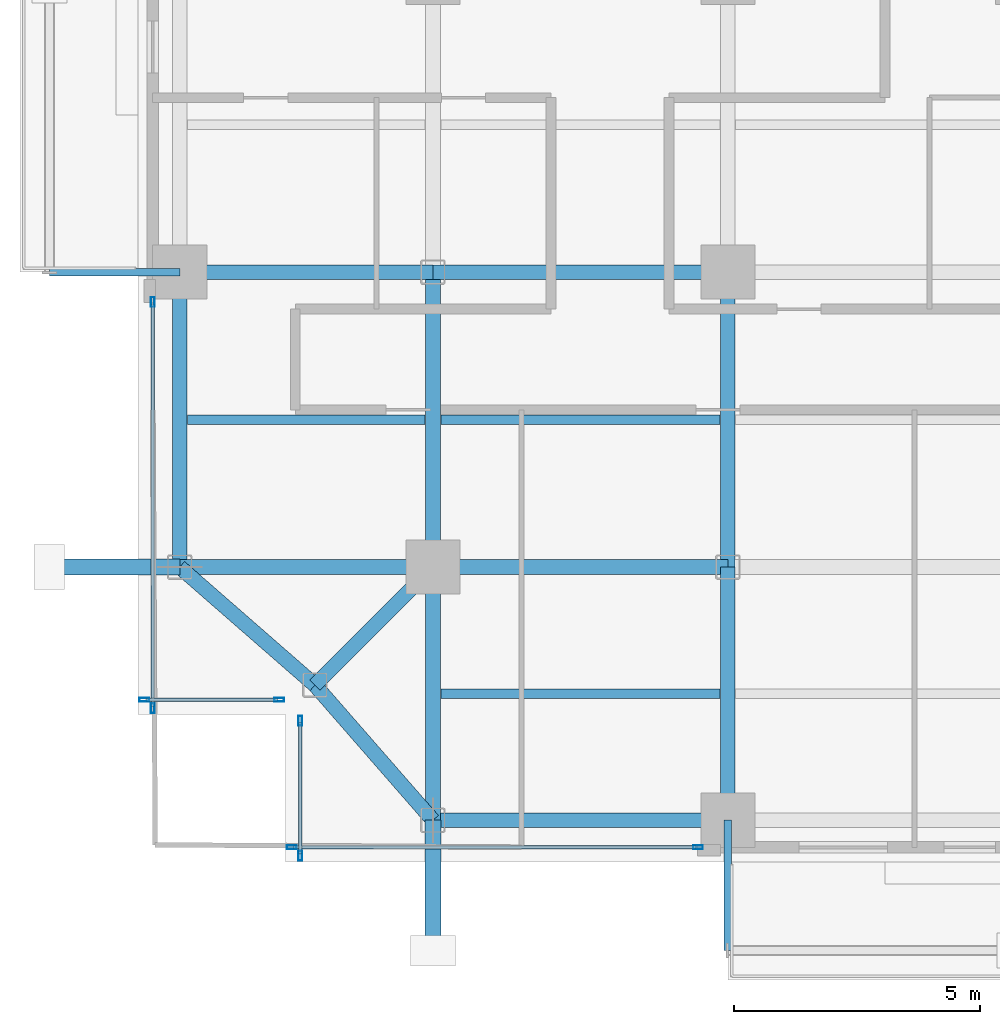
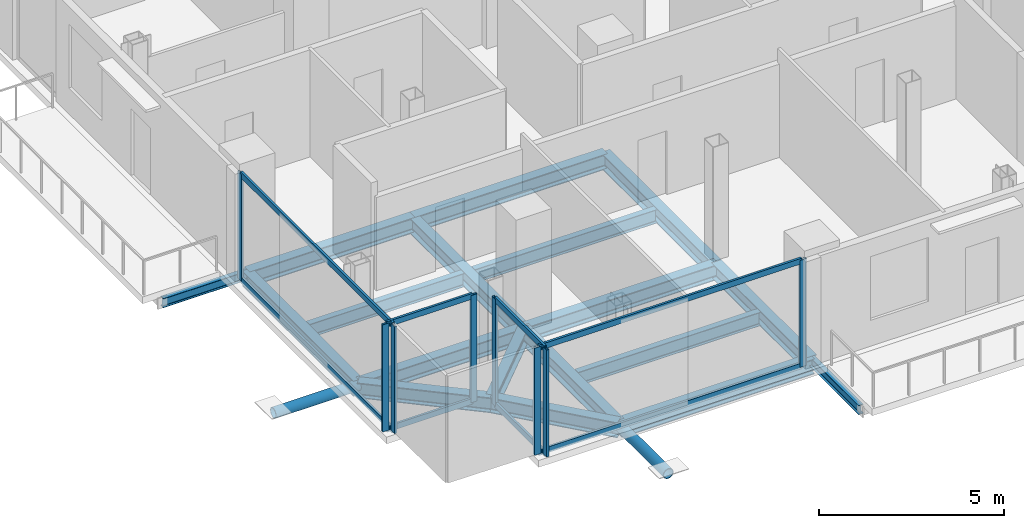
# One storey, part 2 of 24: 18 beams, 18 members, 4 elements without a shape of their own.
"""IFC4 building model written with IfcOpenShell, lengths in metres."""

import ifcopenshell
import ifcopenshell.guid

model = None  # the IFC model being written
_history = None  # IfcOwnerHistory: only IFC2X3 demands one
_inside = {}  # id of a spatial element -> (the spatial element, [elements in it])
_under = {}  # id of a project, library or spatial element -> (it, [spatial elements below it])
_declared = {}  # id of a project -> (the project, [libraries it declares])
_typed = {}  # id of a type object -> (the type object, [elements of that type])
_made_of = {}  # id of a material, layer set ... -> (it, [elements and type objects made of it])


def new_model(schema):
    """Start an empty IFC model of exactly this schema.

    Asked for "IFC4X3", IfcOpenShell would pick the latest addendum, in which some entities
    have other attributes; the version numbers below select the first issue.
    IFC2X3 requires an IfcOwnerHistory on every rooted entity: one is made here for all.
    """
    global model, _history
    if schema == "IFC4X3":
        model = ifcopenshell.file(schema_version=(4, 3, 0, 0))
    else:
        model = ifcopenshell.file(schema=schema)
    _inside.clear()
    _under.clear()
    _declared.clear()
    _typed.clear()
    _made_of.clear()
    _history = None
    if model.schema == "IFC2X3":
        org = make("IfcOrganization", Name="unknown")
        user = make(
            "IfcPersonAndOrganization",
            ThePerson=make("IfcPerson", FamilyName="unknown"),
            TheOrganization=org,
        )
        app = make(
            "IfcApplication",
            ApplicationDeveloper=org,
            Version="unknown",
            ApplicationFullName="unknown",
            ApplicationIdentifier="unknown",
        )
        _history = make(
            "IfcOwnerHistory",
            OwningUser=user,
            OwningApplication=app,
            ChangeAction="ADDED",
            CreationDate=0,
        )
    return model


def make(cls, **values):
    """One entity of the class cls with the attributes given. An attribute that is None is left unset."""
    return model.create_entity(
        cls, **{name: value for name, value in values.items() if value is not None}
    )


def rooted(cls, **values):
    """An entity with a GlobalId (a new one), such as an element, a storey or a relation."""
    return make(cls, GlobalId=ifcopenshell.guid.new(), OwnerHistory=_history, **values)


def si_unit(unit_type, name, prefix=None):
    """IfcSIUnit, for example si_unit("LENGTHUNIT", "METRE", prefix="MILLI")."""
    return make("IfcSIUnit", UnitType=unit_type, Prefix=prefix, Name=name)


def assignment(units):
    """IfcUnitAssignment: the units of a project."""
    return None if units is None else make("IfcUnitAssignment", Units=units)


def point(xyz):
    """IfcCartesianPoint."""
    return None if xyz is None else make("IfcCartesianPoint", Coordinates=xyz)


def direction(xyz):
    """IfcDirection."""
    return None if xyz is None else make("IfcDirection", DirectionRatios=xyz)


def frame(location, z_axis=None, x_axis=None):
    """IfcAxis2Placement3D, a coordinate frame: its origin and axes. An axis left out is left unset."""
    return make(
        "IfcAxis2Placement3D",
        Location=point(location),
        Axis=direction(z_axis),
        RefDirection=direction(x_axis),
    )


def frame_2d(location, x_axis=None):
    """IfcAxis2Placement2D, a coordinate frame in the plane: its origin and x axis."""
    return make(
        "IfcAxis2Placement2D", Location=point(location), RefDirection=direction(x_axis)
    )


def origin():
    """The frame at (0, 0, 0) with its axes left unset."""
    return frame((0.0, 0.0, 0.0))


def origin_2d():
    """The frame at (0, 0) in the plane with its x axis left unset."""
    return frame_2d((0.0, 0.0))


def place(relative_to, where):
    """IfcLocalPlacement: puts the frame where relative to a parent placement (None: the world)."""
    return make(
        "IfcLocalPlacement", PlacementRelTo=relative_to, RelativePlacement=where
    )


def context(
    kind, dimensions, precision=None, world=None, true_north=None, identifier=None
):
    """IfcGeometricRepresentationContext, for example the 3D "Model" context."""
    return make(
        "IfcGeometricRepresentationContext",
        ContextIdentifier=identifier,
        ContextType=kind,
        CoordinateSpaceDimension=dimensions,
        Precision=precision,
        WorldCoordinateSystem=world,
        TrueNorth=true_north,
    )


def subcontext(parent, identifier, kind, view, scale=None):
    """IfcGeometricRepresentationSubContext, for example "Body" below "Model"."""
    return make(
        "IfcGeometricRepresentationSubContext",
        ContextIdentifier=identifier,
        ContextType=kind,
        ParentContext=parent,
        TargetScale=scale,
        TargetView=view,
    )


def project(units=None, contexts=None):
    """IfcProject with its units and contexts."""
    return rooted(
        "IfcProject",
        Name="project",
        RepresentationContexts=contexts,
        UnitsInContext=assignment(units),
    )


def spatial(cls, under=None, at=None, **own):
    """A site, building, storey or space (cls), placed at a placement, below another one or the project."""
    s = rooted(cls, ObjectPlacement=at, **own)
    if under is not None:
        _under.setdefault(under.id(), (under, []))[1].append(s)
    return s


def profile(cls, at=None, kind="AREA", **sizes):
    """A parametric profile (cls). Its sizes go by their IFC names, for example OverallWidth=200.0."""
    return make(cls, ProfileType=kind, Position=at, **sizes)


def hollow_rectangle(**sizes):
    """IfcRectangleHollowProfileDef."""
    return profile("IfcRectangleHollowProfileDef", **sizes)


def hollow_circle(**sizes):
    """IfcCircleHollowProfileDef."""
    return profile("IfcCircleHollowProfileDef", **sizes)


def i_section(**sizes):
    """IfcIShapeProfileDef."""
    return profile("IfcIShapeProfileDef", **sizes)


def extrude(swept, where, along, depth):
    """IfcExtrudedAreaSolid: the profile swept, set in the frame where, extruded along a direction by depth."""
    return make(
        "IfcExtrudedAreaSolid",
        SweptArea=swept,
        Position=where,
        ExtrudedDirection=direction(along),
        Depth=depth,
    )


def shape(context_of_items, identifier, shape_type, items):
    """IfcShapeRepresentation: the items that make up one representation, for example the "Body"."""
    return make(
        "IfcShapeRepresentation",
        ContextOfItems=context_of_items,
        RepresentationIdentifier=identifier,
        RepresentationType=shape_type,
        Items=items,
    )


def material(Name=None, Category=None):
    """IfcMaterial."""
    return make("IfcMaterial", Name=Name, Category=Category)


def layer(
    of_material, thickness, ventilated=None, Name=None, Category=None, Priority=None
):
    """IfcMaterialLayer: one layer of a wall or slab, of a material (None: an air gap)."""
    return make(
        "IfcMaterialLayer",
        Material=of_material,
        LayerThickness=thickness,
        IsVentilated=ventilated,
        Name=Name,
        Category=Category,
        Priority=Priority,
    )


def layer_set(layers, Name=None):
    """IfcMaterialLayerSet."""
    return make("IfcMaterialLayerSet", MaterialLayers=layers, LayerSetName=Name)


def material_profile(
    of_material, cross_section, Name=None, Category=None, Priority=None
):
    """IfcMaterialProfile: a cross section and its material."""
    return make(
        "IfcMaterialProfile",
        Name=Name,
        Material=of_material,
        Profile=cross_section,
        Priority=Priority,
        Category=Category,
    )


def profile_set(profiles, Name=None, composite=None):
    """IfcMaterialProfileSet."""
    return make(
        "IfcMaterialProfileSet",
        Name=Name,
        MaterialProfiles=profiles,
        CompositeProfile=composite,
    )


def made_of(thing, what):
    """Note that an element or type object is made of a material, layer set ...; save() writes the relation."""
    if what is not None:
        _made_of.setdefault(what.id(), (what, []))[1].append(thing)
    return thing


def type_object(cls, material=None, **own):
    """A type object (cls), such as IfcWallType, which elements share."""
    return made_of(rooted(cls, **own), material)


def element(
    cls,
    number,
    at=None,
    inside=None,
    cuts=None,
    type_object=None,
    material=None,
    context=None,
    identifier="Body",
    shape_type=None,
    held_by="IfcProductDefinitionShape",
    body=None,
    shapes=None,
    **own,
):
    """One element of the class cls, such as IfcWall. Its Tag is "e" and its number.

    at: its placement. inside: the storey or other place that contains it. cuts: it is an
    opening in that element (IfcRelVoidsElement). A single representation is given by context,
    identifier, shape_type and body (its items); several are given by shapes. held_by: the class
    of the entity that holds the representations. save() writes the other relations.
    """
    e = rooted(cls, Tag="e%d" % number, ObjectPlacement=at, **own)
    if body is not None:
        shapes = [shape(context, identifier, shape_type, body)]
    if shapes is not None:
        e.Representation = make(held_by, Representations=shapes)
    if inside is not None:
        _inside.setdefault(inside.id(), (inside, []))[1].append(e)
    if cuts is not None:
        rooted(
            "IfcRelVoidsElement", RelatingBuildingElement=cuts, RelatedOpeningElement=e
        )
    if type_object is not None:
        _typed.setdefault(type_object.id(), (type_object, []))[1].append(e)
    return made_of(e, material)


def aggregate(whole, parts):
    """IfcRelAggregates: a whole, such as a stair, and the parts it consists of."""
    return rooted("IfcRelAggregates", RelatingObject=whole, RelatedObjects=parts)


def save(model, path):
    """Write the relations noted so far, then the file.

    IfcRelAggregates (storeys below a building ...), IfcRelContainedInSpatialStructure (elements
    in a storey), IfcRelDefinesByType, IfcRelAssociatesMaterial and IfcRelDeclares: one each for
    every whole, place, type object, material and project.
    """
    for whole, parts in _under.values():
        aggregate(whole, parts)
    for where, things in _inside.values():
        rooted(
            "IfcRelContainedInSpatialStructure",
            RelatedElements=things,
            RelatingStructure=where,
        )
    for kind, things in _typed.values():
        rooted("IfcRelDefinesByType", RelatedObjects=things, RelatingType=kind)
    for what, things in _made_of.values():
        rooted("IfcRelAssociatesMaterial", RelatedObjects=things, RelatingMaterial=what)
    for by, libraries in _declared.values():
        rooted("IfcRelDeclares", RelatingContext=by, RelatedDefinitions=libraries)
    model.write(path)


model = new_model("IFC4")

# Units and contexts
model_context = context("Model", 3, precision=1e-05, world=origin(), true_north=direction((0.0, 1.0)))
body_context = subcontext(model_context, "Body", "Model", "MODEL_VIEW")
ifc_project = project(units=[si_unit("LENGTHUNIT", "METRE"), si_unit("AREAUNIT", "SQUARE_METRE"), si_unit("VOLUMEUNIT", "CUBIC_METRE"), si_unit("PLANEANGLEUNIT", "RADIAN"), si_unit("MASSUNIT", "GRAM", prefix="KILO"), si_unit("THERMODYNAMICTEMPERATUREUNIT", "KELVIN"), si_unit("POWERUNIT", "WATT")], contexts=[model_context])

# Site, building, storey
site_placement = place(None, origin())
site = spatial("IfcSite", under=ifc_project, at=site_placement, CompositionType="ELEMENT")
building_placement = place(site_placement, origin())
building = spatial("IfcBuilding", under=site, at=building_placement, Name="Svarakhadi Broadcast Tower", CompositionType="ELEMENT")
storey_placement = place(building_placement, frame((0.0, 0.0, 141.89990234375)))
storey = spatial("IfcBuildingStorey", under=building, at=storey_placement, Name="L34", CompositionType="ELEMENT", Elevation=141.89990234375)

# Beams
ifc_material_1 = material(Name="Steel S355J2 (IS 2062 E350C)", Category="steel")
ifc_material_profile_1 = material_profile(ifc_material_1, i_section(OverallWidth=0.18994140625, OverallDepth=0.449951171875, WebThickness=0.009521484375, FlangeThickness=0.0146484375, FilletRadius=0.02099609375, at=origin_2d()), Name="NPB 450x190x78")
ifc_profile_set_1 = profile_set([ifc_material_profile_1], Name="Steel S355J2 (IS 2062 E350C)")
beam_type_1 = type_object("IfcBeamType", Name="Beam_NPB450", PredefinedType="BEAM", material=ifc_profile_set_1)
beam_1_placement = place(storey_placement, frame((1.010009765625, 9.0, -0.449951171875), z_axis=(1.0, 0.0, 0.0), x_axis=(0.0, 1.0, 0.0)))
element("IfcBeam", 1, at=beam_1_placement, inside=storey, type_object=beam_type_1, Name="L34 Secondary Composite Beam SB001", PredefinedType="BEAM", context=body_context, shape_type="SweptSolid", body=[
    extrude(i_section(OverallWidth=0.18994140625, OverallDepth=0.449951171875, WebThickness=0.009521484375, FlangeThickness=0.0146484375, FilletRadius=0.02099609375, at=origin_2d()), origin(), (0.0, 0.0, 1.0), 4.830078125),
])
for number, where, z_axis, x_axis, name in (
    (2, (6.159912109375, 3.425048828125, -0.449951171875), (1.0, 0.0, 0.0), (0.0, 1.0, 0.0), "L34 Secondary Composite Beam SB006"),
    (3, (6.159912109375, 9.0, -0.449951171875), (1.0, 0.0, 0.0), (0.0, 1.0, 0.0), "L34 Secondary Composite Beam SB007"),
):
    element("IfcBeam", number, at=place(storey_placement, frame(where, z_axis=z_axis, x_axis=x_axis)), inside=storey, type_object=beam_type_1, Name=name, PredefinedType="BEAM", context=body_context, shape_type="SweptSolid", body=[
        extrude(i_section(OverallWidth=0.18994140625, OverallDepth=0.449951171875, WebThickness=0.009521484375, FlangeThickness=0.0146484375, FilletRadius=0.02099609375, at=origin_2d()), origin(), (0.0, 0.0, 1.0), 5.68017578125),
    ])

# Curtain wall, members
ifc_material_2 = material(Name="Anodised Bronze Aluminium AA 6063-T6", Category="aluminium")
ifc_layer = layer(ifc_material_2, 0.199951171875)
ifc_layer_set = layer_set([ifc_layer], Name="Anodised Bronze Aluminium AA 6063-T6")
curtain_wall_type = type_object("IfcCurtainWallType", Name="CW_Sys_03", PredefinedType="NOTDEFINED", material=ifc_layer_set)
curtain_wall_1_placement = place(storey_placement, origin())
curtain_wall_1 = element("IfcCurtainWall", 4, at=curtain_wall_1_placement, inside=storey, type_object=curtain_wall_type, Name="L34 Unitised Facade Curtain Wall 01", PredefinedType="NOTDEFINED")
ifc_material_profile_2 = material_profile(ifc_material_2, hollow_rectangle(XDim=0.074951171875, YDim=0.199951171875, WallThickness=0.005615234375, at=origin_2d()), Name="ALU MULLION 200x75x6")
ifc_profile_set_2 = profile_set([ifc_material_profile_2], Name="Anodised Bronze Aluminium AA 6063-T6")
member_type_1 = type_object("IfcMemberType", Name="CW_Sys_03_Mul", PredefinedType="MULLION", material=ifc_profile_set_2)
member_1_placement = place(storey_placement, frame((2.87255859375, 3.300048828125, 0.0), z_axis=(0.0, 0.0, 1.0), x_axis=(0.0, -1.0, 0.0)))
member_1 = element("IfcMember", 5, at=member_1_placement, type_object=member_type_1, Name="CW-03 mullion 1", PredefinedType="MULLION", context=body_context, shape_type="SweptSolid", body=[
    extrude(hollow_rectangle(XDim=0.074951171875, YDim=0.199951171875, WallThickness=0.005615234375, at=origin_2d()), origin(), (0.0, 0.0, 1.0), 3.525146484375),
])
member_2_placement = place(storey_placement, frame((0.12744140625, 3.300048828125, 0.0), z_axis=(0.0, 0.0, 1.0), x_axis=(0.0, -1.0, 0.0)))
member_2 = element("IfcMember", 6, at=member_2_placement, type_object=member_type_1, Name="CW-03 mullion 2", PredefinedType="MULLION", context=body_context, shape_type="SweptSolid", body=[
    extrude(hollow_rectangle(XDim=0.074951171875, YDim=0.199951171875, WallThickness=0.005615234375, at=origin_2d()), origin(), (0.0, 0.0, 1.0), 3.525146484375),
])

curtain_wall_2_placement = place(storey_placement, origin())
curtain_wall_2 = element("IfcCurtainWall", 7, at=curtain_wall_2_placement, inside=storey, type_object=curtain_wall_type, Name="L34 West Curtain Wall 02", PredefinedType="NOTDEFINED")
member_3_placement = place(storey_placement, frame((0.300048828125, 3.12744140625, 0.0), z_axis=(0.0, 0.0, 1.0), x_axis=(-1.0, 0.0, 0.0)))
member_3 = element("IfcMember", 8, at=member_3_placement, type_object=member_type_1, Name="CW-03 mullion 1", PredefinedType="MULLION", context=body_context, shape_type="SweptSolid", body=[
    extrude(hollow_rectangle(XDim=0.074951171875, YDim=0.199951171875, WallThickness=0.005615234375, at=origin_2d()), origin(), (0.0, 0.0, 1.0), 3.525146484375),
])
member_4_placement = place(storey_placement, frame((0.300048828125, 11.392578125, 0.0), z_axis=(0.0, 0.0, 1.0), x_axis=(-1.0, 0.0, 0.0)))
member_4 = element("IfcMember", 9, at=member_4_placement, type_object=member_type_1, Name="CW-03 mullion 2", PredefinedType="MULLION", context=body_context, shape_type="SweptSolid", body=[
    extrude(hollow_rectangle(XDim=0.074951171875, YDim=0.199951171875, WallThickness=0.005615234375, at=origin_2d()), origin(), (0.0, 0.0, 1.0), 3.525146484375),
])

curtain_wall_3_placement = place(storey_placement, origin())
curtain_wall_3 = element("IfcCurtainWall", 10, at=curtain_wall_3_placement, inside=storey, type_object=curtain_wall_type, Name="L34 South Curtain Wall 17", PredefinedType="NOTDEFINED")
member_5_placement = place(storey_placement, frame((11.392578125, 0.300048828125, 0.0), z_axis=(0.0, 0.0, 1.0), x_axis=(0.0, -1.0, 0.0)))
member_5 = element("IfcMember", 11, at=member_5_placement, type_object=member_type_1, Name="CW-03 mullion 1", PredefinedType="MULLION", context=body_context, shape_type="SweptSolid", body=[
    extrude(hollow_rectangle(XDim=0.074951171875, YDim=0.199951171875, WallThickness=0.005615234375, at=origin_2d()), origin(), (0.0, 0.0, 1.0), 3.525146484375),
])
member_6_placement = place(storey_placement, frame((3.12744140625, 0.300048828125, 0.0), z_axis=(0.0, 0.0, 1.0), x_axis=(0.0, -1.0, 0.0)))
member_6 = element("IfcMember", 12, at=member_6_placement, type_object=member_type_1, Name="CW-03 mullion 2", PredefinedType="MULLION", context=body_context, shape_type="SweptSolid", body=[
    extrude(hollow_rectangle(XDim=0.074951171875, YDim=0.199951171875, WallThickness=0.005615234375, at=origin_2d()), origin(), (0.0, 0.0, 1.0), 3.525146484375),
])

curtain_wall_4_placement = place(storey_placement, origin())
curtain_wall_4 = element("IfcCurtainWall", 13, at=curtain_wall_4_placement, inside=storey, type_object=curtain_wall_type, Name="L34 Unitised Facade Curtain Wall 18", PredefinedType="NOTDEFINED")
member_7_placement = place(storey_placement, frame((3.300048828125, 0.12744140625, 0.0), z_axis=(0.0, 0.0, 1.0), x_axis=(-1.0, 0.0, 0.0)))
member_7 = element("IfcMember", 14, at=member_7_placement, type_object=member_type_1, Name="CW-03 mullion 1", PredefinedType="MULLION", context=body_context, shape_type="SweptSolid", body=[
    extrude(hollow_rectangle(XDim=0.074951171875, YDim=0.199951171875, WallThickness=0.005615234375, at=origin_2d()), origin(), (0.0, 0.0, 1.0), 3.525146484375),
])
member_8_placement = place(storey_placement, frame((3.300048828125, 2.87255859375, 0.0), z_axis=(0.0, 0.0, 1.0), x_axis=(-1.0, 0.0, 0.0)))
member_8 = element("IfcMember", 15, at=member_8_placement, type_object=member_type_1, Name="CW-03 mullion 2", PredefinedType="MULLION", context=body_context, shape_type="SweptSolid", body=[
    extrude(hollow_rectangle(XDim=0.074951171875, YDim=0.199951171875, WallThickness=0.005615234375, at=origin_2d()), origin(), (0.0, 0.0, 1.0), 3.525146484375),
])

# Member
ifc_material_profile_3 = material_profile(ifc_material_2, hollow_rectangle(XDim=0.070068359375, YDim=0.18505859375, WallThickness=0.0048828125, at=origin_2d()), Name="ALU TRANSOM 185x70x5")
ifc_profile_set_3 = profile_set([ifc_material_profile_3], Name="Anodised Bronze Aluminium AA 6063-T6")
member_type_2 = type_object("IfcMemberType", Name="CW_Sys_03_Trn", PredefinedType="USERDEFINED", material=ifc_profile_set_3)
member_9_placement = place(storey_placement, frame((2.8349609375, 3.300048828125, 0.03515625), z_axis=(-1.0, 0.0, 0.0), x_axis=(0.0, -1.0, 0.0)))
member_9 = element("IfcMember", 16, at=member_9_placement, type_object=member_type_2, Name="CW-03 transom 1.1", ObjectType="TRANSOM", PredefinedType="USERDEFINED", context=body_context, shape_type="SweptSolid", body=[
    extrude(hollow_rectangle(XDim=0.070068359375, YDim=0.18505859375, WallThickness=0.0048828125, at=origin_2d()), origin(), (0.0, 0.0, 1.0), 2.669921875),
])

member_10_placement = place(storey_placement, frame((2.8349609375, 3.300048828125, 3.489990234375), z_axis=(-1.0, 0.0, 0.0), x_axis=(0.0, -1.0, 0.0)))
member_10 = element("IfcMember", 17, at=member_10_placement, type_object=member_type_2, Name="CW-03 transom 1.2", ObjectType="TRANSOM", PredefinedType="USERDEFINED", context=body_context, shape_type="SweptSolid", body=[
    extrude(hollow_rectangle(XDim=0.070068359375, YDim=0.18505859375, WallThickness=0.0048828125, at=origin_2d()), origin(), (0.0, 0.0, 1.0), 2.669921875),
])

aggregate(curtain_wall_1, [member_1, member_2, member_9, member_10])

member_11_placement = place(storey_placement, frame((0.300048828125, 3.1650390625, 0.03515625), z_axis=(0.0, 1.0, 0.0), x_axis=(-1.0, 0.0, 0.0)))
member_11 = element("IfcMember", 18, at=member_11_placement, type_object=member_type_2, Name="CW-03 transom 1.1", ObjectType="TRANSOM", PredefinedType="USERDEFINED", context=body_context, shape_type="SweptSolid", body=[
    extrude(hollow_rectangle(XDim=0.070068359375, YDim=0.18505859375, WallThickness=0.0048828125, at=origin_2d()), origin(), (0.0, 0.0, 1.0), 8.18994140625),
])

member_12_placement = place(storey_placement, frame((0.300048828125, 3.1650390625, 3.489990234375), z_axis=(0.0, 1.0, 0.0), x_axis=(-1.0, 0.0, 0.0)))
member_12 = element("IfcMember", 19, at=member_12_placement, type_object=member_type_2, Name="CW-03 transom 1.2", ObjectType="TRANSOM", PredefinedType="USERDEFINED", context=body_context, shape_type="SweptSolid", body=[
    extrude(hollow_rectangle(XDim=0.070068359375, YDim=0.18505859375, WallThickness=0.0048828125, at=origin_2d()), origin(), (0.0, 0.0, 1.0), 8.18994140625),
])

aggregate(curtain_wall_2, [member_3, member_4, member_11, member_12])

member_13_placement = place(storey_placement, frame((11.35498046875, 0.300048828125, 0.03515625), z_axis=(-1.0, 0.0, 0.0), x_axis=(0.0, -1.0, 0.0)))
member_13 = element("IfcMember", 20, at=member_13_placement, type_object=member_type_2, Name="CW-03 transom 1.1", ObjectType="TRANSOM", PredefinedType="USERDEFINED", context=body_context, shape_type="SweptSolid", body=[
    extrude(hollow_rectangle(XDim=0.070068359375, YDim=0.18505859375, WallThickness=0.0048828125, at=origin_2d()), origin(), (0.0, 0.0, 1.0), 8.18994140625),
])

member_14_placement = place(storey_placement, frame((11.35498046875, 0.300048828125, 3.489990234375), z_axis=(-1.0, 0.0, 0.0), x_axis=(0.0, -1.0, 0.0)))
member_14 = element("IfcMember", 21, at=member_14_placement, type_object=member_type_2, Name="CW-03 transom 1.2", ObjectType="TRANSOM", PredefinedType="USERDEFINED", context=body_context, shape_type="SweptSolid", body=[
    extrude(hollow_rectangle(XDim=0.070068359375, YDim=0.18505859375, WallThickness=0.0048828125, at=origin_2d()), origin(), (0.0, 0.0, 1.0), 8.18994140625),
])

aggregate(curtain_wall_3, [member_5, member_6, member_13, member_14])

member_15_placement = place(storey_placement, frame((3.300048828125, 0.1650390625, 0.03515625), z_axis=(0.0, 1.0, 0.0), x_axis=(-1.0, 0.0, 0.0)))
member_15 = element("IfcMember", 22, at=member_15_placement, type_object=member_type_2, Name="CW-03 transom 1.1", ObjectType="TRANSOM", PredefinedType="USERDEFINED", context=body_context, shape_type="SweptSolid", body=[
    extrude(hollow_rectangle(XDim=0.070068359375, YDim=0.18505859375, WallThickness=0.0048828125, at=origin_2d()), origin(), (0.0, 0.0, 1.0), 2.669921875),
])

member_16_placement = place(storey_placement, frame((3.300048828125, 0.1650390625, 3.489990234375), z_axis=(0.0, 1.0, 0.0), x_axis=(-1.0, 0.0, 0.0)))
member_16 = element("IfcMember", 23, at=member_16_placement, type_object=member_type_2, Name="CW-03 transom 1.2", ObjectType="TRANSOM", PredefinedType="USERDEFINED", context=body_context, shape_type="SweptSolid", body=[
    extrude(hollow_rectangle(XDim=0.070068359375, YDim=0.18505859375, WallThickness=0.0048828125, at=origin_2d()), origin(), (0.0, 0.0, 1.0), 2.669921875),
])

aggregate(curtain_wall_4, [member_7, member_8, member_15, member_16])

# Members
ifc_material_3 = material(Name="Steel S460ML (IS 2062 E450BR)", Category="steel")
ifc_material_profile_4 = material_profile(ifc_material_3, hollow_circle(Radius=0.161865234375, WallThickness=0.01611328125, at=origin_2d()), Name="CHS 323.9x16")
ifc_profile_set_4 = profile_set([ifc_material_profile_4], Name="Steel S460ML (IS 2062 E450BR)")
member_type_3 = type_object("IfcMemberType", Name="Exo_Radial_Strut_Z2", PredefinedType="STRUT", material=ifc_profile_set_4)
for number, where, z_axis, x_axis, name in (
    (24, (6.0, -1.800048828125, -0.386962890625), (0.0, 1.0, 0.0), (-1.0, 0.0, 0.0), "L34 Exoskeleton Radial Tie Strut S01"),
    (25, (-1.800048828125, 6.0, -0.386962890625), (1.0, 0.0, 0.0), (0.0, 1.0, 0.0), "L34 Exoskeleton Radial Tie Strut W05"),
):
    element("IfcMember", number, at=place(storey_placement, frame(where, z_axis=z_axis, x_axis=x_axis)), inside=storey, type_object=member_type_3, Name=name, PredefinedType="STRUT", context=body_context, shape_type="SweptSolid", body=[
        extrude(hollow_circle(Radius=0.161865234375, WallThickness=0.01611328125, at=origin_2d()), origin(), (0.0, 0.0, 1.0), 2.650146484375),
    ])

# Beams
ifc_material_profile_5 = material_profile(ifc_material_1, i_section(OverallWidth=0.300048828125, OverallDepth=0.5, WebThickness=0.014404296875, FlangeThickness=0.028076171875, FilletRadius=0.027099609375, at=origin_2d()), Name="WPB 500x300x187")
ifc_profile_set_5 = profile_set([ifc_material_profile_5], Name="Steel S355J2 (IS 2062 E350C)")
beam_type_2 = type_object("IfcBeamType", Name="Girder_WPB500", PredefinedType="USERDEFINED", material=ifc_profile_set_5)
beam_2_placement = place(storey_placement, frame((3.60009765625, 3.60009765625, -0.474853515625), z_axis=(0.707106781187, 0.707106781187, 0.0), x_axis=(-0.707106781187, 0.707106781187, 0.0)))
element("IfcBeam", 26, at=beam_2_placement, inside=storey, type_object=beam_type_2, Name="L34 Corner Tie Girder G001", ObjectType="GIRDER", PredefinedType="USERDEFINED", context=body_context, shape_type="SweptSolid", body=[
    extrude(i_section(OverallWidth=0.300048828125, OverallDepth=0.5, WebThickness=0.014404296875, FlangeThickness=0.028076171875, FilletRadius=0.027099609375, at=origin_2d()), origin(), (0.0, 0.0, 1.0), 3.39404296875),
])
for number, where, z_axis, x_axis, name in (
    (27, (3.60009765625, 3.60009765625, -0.474853515625), (-0.753437912176, 0.657519058655, 0.0), (-0.657519058655, -0.753437912176, 0.0), "L34 Corner Tie Girder G002"),
    (28, (3.60009765625, 3.60009765625, -0.474853515625), (0.657519058655, -0.753437912176, 0.0), (0.753437912176, 0.657519058655, 0.0), "L34 Corner Tie Girder G003"),
):
    element("IfcBeam", number, at=place(storey_placement, frame(where, z_axis=z_axis, x_axis=x_axis)), inside=storey, type_object=beam_type_2, Name=name, ObjectType="GIRDER", PredefinedType="USERDEFINED", context=body_context, shape_type="SweptSolid", body=[
        extrude(i_section(OverallWidth=0.300048828125, OverallDepth=0.5, WebThickness=0.014404296875, FlangeThickness=0.028076171875, FilletRadius=0.027099609375, at=origin_2d()), origin(), (0.0, 0.0, 1.0), 3.64990234375),
    ])
beam_3_placement = place(storey_placement, frame((6.0, 0.85009765625, -0.474853515625), z_axis=(1.0, 0.0, 0.0), x_axis=(0.0, 1.0, 0.0)))
element("IfcBeam", 29, at=beam_3_placement, inside=storey, type_object=beam_type_2, Name="L34 Primary E-W Girder G004", ObjectType="GIRDER", PredefinedType="USERDEFINED", context=body_context, shape_type="SweptSolid", body=[
    extrude(i_section(OverallWidth=0.300048828125, OverallDepth=0.5, WebThickness=0.014404296875, FlangeThickness=0.028076171875, FilletRadius=0.027099609375, at=origin_2d()), origin(), (0.0, 0.0, 1.0), 6.0),
])
beam_4_placement = place(storey_placement, frame((0.85009765625, 6.0, -0.474853515625), z_axis=(1.0, 0.0, 0.0), x_axis=(0.0, 1.0, 0.0)))
element("IfcBeam", 30, at=beam_4_placement, inside=storey, type_object=beam_type_2, Name="L34 Primary E-W Girder G010", ObjectType="GIRDER", PredefinedType="USERDEFINED", context=body_context, shape_type="SweptSolid", body=[
    extrude(i_section(OverallWidth=0.300048828125, OverallDepth=0.5, WebThickness=0.014404296875, FlangeThickness=0.028076171875, FilletRadius=0.027099609375, at=origin_2d()), origin(), (0.0, 0.0, 1.0), 5.14990234375),
])
beam_5_placement = place(storey_placement, frame((6.0, 6.0, -0.474853515625), z_axis=(1.0, 0.0, 0.0), x_axis=(0.0, 1.0, 0.0)))
element("IfcBeam", 31, at=beam_5_placement, inside=storey, type_object=beam_type_2, Name="L34 Primary E-W Girder G011", ObjectType="GIRDER", PredefinedType="USERDEFINED", context=body_context, shape_type="SweptSolid", body=[
    extrude(i_section(OverallWidth=0.300048828125, OverallDepth=0.5, WebThickness=0.014404296875, FlangeThickness=0.028076171875, FilletRadius=0.027099609375, at=origin_2d()), origin(), (0.0, 0.0, 1.0), 6.0),
])
beam_6_placement = place(storey_placement, frame((0.85009765625, 12.0, -0.474853515625), z_axis=(1.0, 0.0, 0.0), x_axis=(0.0, 1.0, 0.0)))
element("IfcBeam", 32, at=beam_6_placement, inside=storey, type_object=beam_type_2, Name="L34 Primary E-W Girder G017", ObjectType="GIRDER", PredefinedType="USERDEFINED", context=body_context, shape_type="SweptSolid", body=[
    extrude(i_section(OverallWidth=0.300048828125, OverallDepth=0.5, WebThickness=0.014404296875, FlangeThickness=0.028076171875, FilletRadius=0.027099609375, at=origin_2d()), origin(), (0.0, 0.0, 1.0), 5.14990234375),
])
for number, where, z_axis, x_axis, name in (
    (33, (6.0, 12.0, -0.474853515625), (1.0, 0.0, 0.0), (0.0, 1.0, 0.0), "L34 Primary E-W Girder G018"),
    (34, (0.85009765625, 6.0, -0.474853515625), (0.0, 1.0, 0.0), (-1.0, 0.0, 0.0), "L34 Primary N-S Girder G040"),
):
    element("IfcBeam", number, at=place(storey_placement, frame(where, z_axis=z_axis, x_axis=x_axis)), inside=storey, type_object=beam_type_2, Name=name, ObjectType="GIRDER", PredefinedType="USERDEFINED", context=body_context, shape_type="SweptSolid", body=[
        extrude(i_section(OverallWidth=0.300048828125, OverallDepth=0.5, WebThickness=0.014404296875, FlangeThickness=0.028076171875, FilletRadius=0.027099609375, at=origin_2d()), origin(), (0.0, 0.0, 1.0), 6.0),
    ])
beam_7_placement = place(storey_placement, frame((6.0, 0.85009765625, -0.474853515625), z_axis=(0.0, 1.0, 0.0), x_axis=(-1.0, 0.0, 0.0)))
element("IfcBeam", 35, at=beam_7_placement, inside=storey, type_object=beam_type_2, Name="L34 Primary N-S Girder G045", ObjectType="GIRDER", PredefinedType="USERDEFINED", context=body_context, shape_type="SweptSolid", body=[
    extrude(i_section(OverallWidth=0.300048828125, OverallDepth=0.5, WebThickness=0.014404296875, FlangeThickness=0.028076171875, FilletRadius=0.027099609375, at=origin_2d()), origin(), (0.0, 0.0, 1.0), 5.14990234375),
])
beam_8_placement = place(storey_placement, frame((6.0, 6.0, -0.474853515625), z_axis=(0.0, 1.0, 0.0), x_axis=(-1.0, 0.0, 0.0)))
element("IfcBeam", 36, at=beam_8_placement, inside=storey, type_object=beam_type_2, Name="L34 Primary N-S Girder G046", ObjectType="GIRDER", PredefinedType="USERDEFINED", context=body_context, shape_type="SweptSolid", body=[
    extrude(i_section(OverallWidth=0.300048828125, OverallDepth=0.5, WebThickness=0.014404296875, FlangeThickness=0.028076171875, FilletRadius=0.027099609375, at=origin_2d()), origin(), (0.0, 0.0, 1.0), 6.0),
])
beam_9_placement = place(storey_placement, frame((12.0, 0.85009765625, -0.474853515625), z_axis=(0.0, 1.0, 0.0), x_axis=(-1.0, 0.0, 0.0)))
element("IfcBeam", 37, at=beam_9_placement, inside=storey, type_object=beam_type_2, Name="L34 Primary N-S Girder G051", ObjectType="GIRDER", PredefinedType="USERDEFINED", context=body_context, shape_type="SweptSolid", body=[
    extrude(i_section(OverallWidth=0.300048828125, OverallDepth=0.5, WebThickness=0.014404296875, FlangeThickness=0.028076171875, FilletRadius=0.027099609375, at=origin_2d()), origin(), (0.0, 0.0, 1.0), 5.14990234375),
])
beam_10_placement = place(storey_placement, frame((12.0, 6.0, -0.474853515625), z_axis=(0.0, 1.0, 0.0), x_axis=(-1.0, 0.0, 0.0)))
element("IfcBeam", 38, at=beam_10_placement, inside=storey, type_object=beam_type_2, Name="L34 Primary N-S Girder G052", ObjectType="GIRDER", PredefinedType="USERDEFINED", context=body_context, shape_type="SweptSolid", body=[
    extrude(i_section(OverallWidth=0.300048828125, OverallDepth=0.5, WebThickness=0.014404296875, FlangeThickness=0.028076171875, FilletRadius=0.027099609375, at=origin_2d()), origin(), (0.0, 0.0, 1.0), 6.0),
])
ifc_material_profile_6 = material_profile(ifc_material_1, i_section(OverallWidth=0.14990234375, OverallDepth=0.300048828125, WebThickness=0.007080078125, FlangeThickness=0.0107421875, FilletRadius=0.014892578125, at=origin_2d()), Name="NPB 300x150x37")
ifc_profile_set_6 = profile_set([ifc_material_profile_6], Name="Steel S355J2 (IS 2062 E350C)")
beam_type_3 = type_object("IfcBeamType", Name="Spandrel_NPB300", PredefinedType="SPANDREL", material=ifc_profile_set_6)
for number, where, z_axis, x_axis, name in (
    (39, (12.0, 0.85009765625, -0.375), (0.0, -1.0, 0.0), (1.0, 0.0, 0.0), "L34 Balcony Cantilever Bracket 1A"),
    (40, (0.85009765625, 12.0, -0.375), (-1.0, 0.0, 0.0), (0.0, -1.0, 0.0), "L34 Balcony Cantilever Bracket 2A"),
):
    element("IfcBeam", number, at=place(storey_placement, frame(where, z_axis=z_axis, x_axis=x_axis)), inside=storey, type_object=beam_type_3, Name=name, PredefinedType="SPANDREL", context=body_context, shape_type="SweptSolid", body=[
        extrude(i_section(OverallWidth=0.14990234375, OverallDepth=0.300048828125, WebThickness=0.007080078125, FlangeThickness=0.0107421875, FilletRadius=0.014892578125, at=origin_2d()), origin(), (0.0, 0.0, 1.0), 2.650146484375),
    ])

save(model, "model.ifc")
